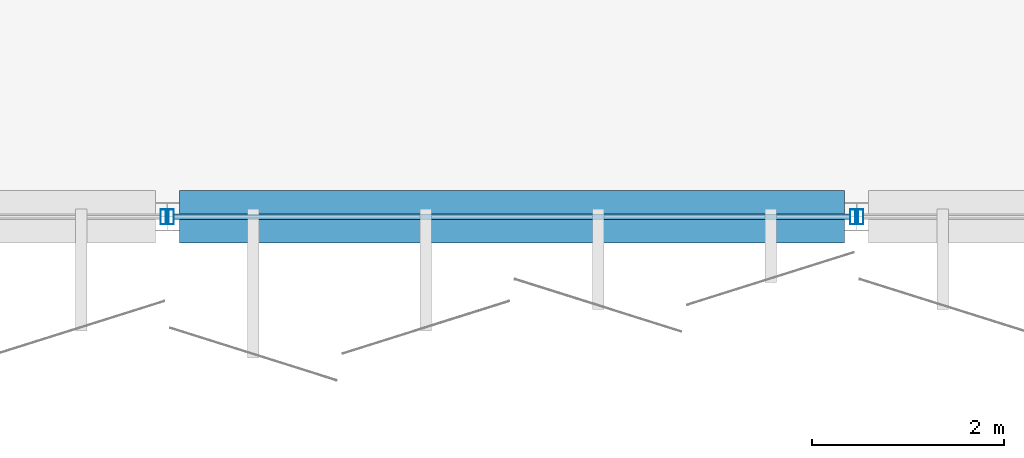
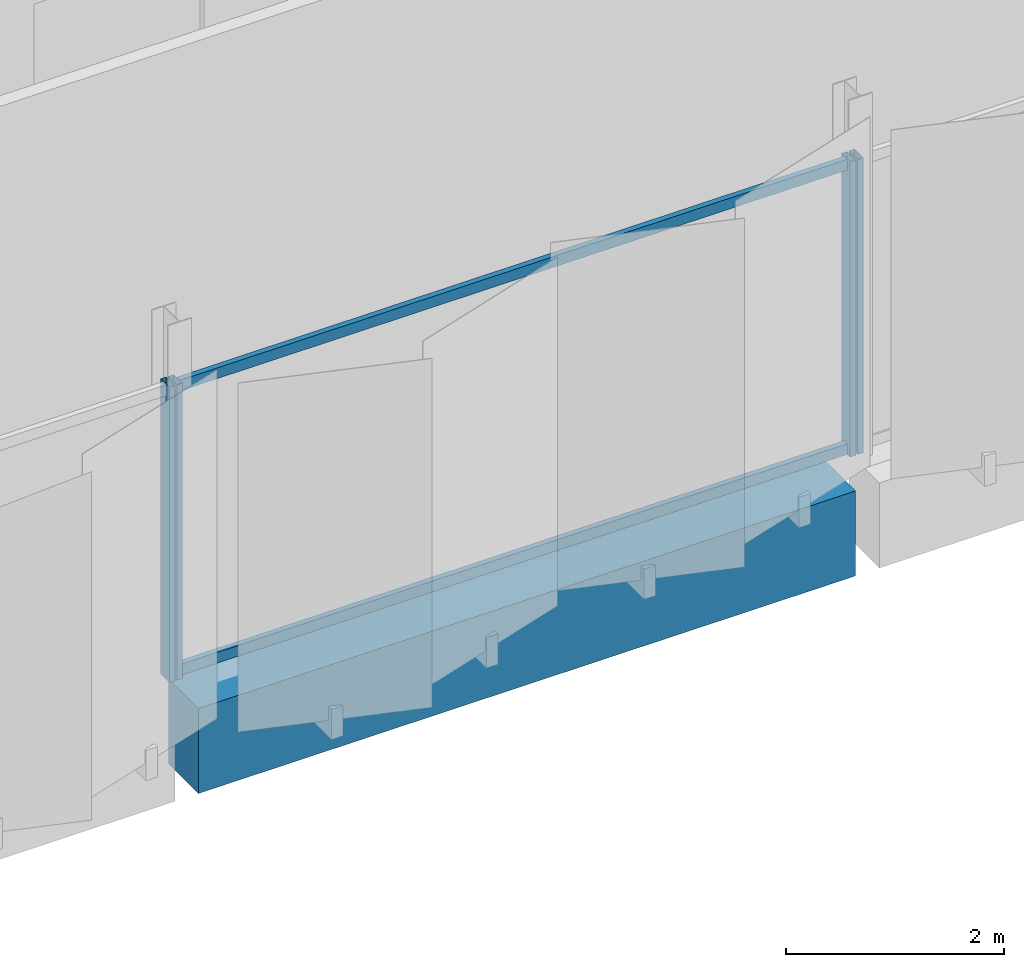
# One storey, part 38 of 77: 6 members, 1 beam, 3 elements without a shape of their own.
"""IFC4 building model written with IfcOpenShell, lengths in metres."""

from ifc_helpers import new_model, si_unit, direction, frame, origin, origin_2d, place, context, subcontext, project, spatial, rectangle, hollow_rectangle, extrude, material, layer, layer_set, material_profile, profile_set, type_object, element, aggregate, save


model = new_model("IFC4")

# Units and contexts
model_context = context("Model", 3, precision=1e-05, world=origin(), true_north=direction((0.0, 1.0)))
body_context = subcontext(model_context, "Body", "Model", "MODEL_VIEW")
ifc_project = project(units=[si_unit("LENGTHUNIT", "METRE"), si_unit("AREAUNIT", "SQUARE_METRE"), si_unit("VOLUMEUNIT", "CUBIC_METRE"), si_unit("PLANEANGLEUNIT", "RADIAN"), si_unit("MASSUNIT", "GRAM", prefix="KILO")], contexts=[model_context])

# Site, building, storey
site_placement = place(None, origin())
site = spatial("IfcSite", under=ifc_project, at=site_placement, CompositionType="ELEMENT")
building_placement = place(site_placement, origin())
building = spatial("IfcBuilding", under=site, at=building_placement, Name="Kangsadwip Square Police Headquarters", CompositionType="ELEMENT")
storey_placement = place(building_placement, frame((0.0, 0.0, 17.550048828125)))
storey = spatial("IfcBuildingStorey", under=building, at=storey_placement, Name="L04", CompositionType="ELEMENT", Elevation=17.550048828125)

# Curtain wall, member
ifc_material_1 = material(Name="Thermally broken anodised aluminium AW-6063-T6", Category="aluminium")
ifc_layer = layer(ifc_material_1, 0.159912109375)
ifc_layer_set = layer_set([ifc_layer], Name="Thermally broken anodised aluminium AW-6063-T6")
curtain_wall_type = type_object("IfcCurtainWallType", Name="CourtScreen7180x3300", PredefinedType="USERDEFINED", material=ifc_layer_set)
curtain_wall_1_placement = place(storey_placement, origin())
curtain_wall_1 = element("IfcCurtainWall", 1, at=curtain_wall_1_placement, inside=storey, type_object=curtain_wall_type, Name="Curtain Wall CW-L04-1224-0936", ObjectType="GLAZED_SCREEN", PredefinedType="USERDEFINED")
ifc_material_2 = material(Name="Thermally broken anodised aluminium AW-6063-T6", Category="aluminium")
ifc_material_profile_1 = material_profile(ifc_material_2, hollow_rectangle(XDim=0.06005859375, YDim=0.159912109375, WallThickness=0.00390625, at=origin_2d()), Name="CWM 160X60X4")
ifc_profile_set_1 = profile_set([ifc_material_profile_1], Name="Thermally broken anodised aluminium AW-6063-T6")
member_type_1 = type_object("IfcMemberType", Name="CwMullion135x60", PredefinedType="MULLION", material=ifc_profile_set_1)
member_1_placement = place(storey_placement, frame((129.56005859375, 93.60009765625, 0.0), z_axis=(0.0, 0.0, 1.0), x_axis=(1.0, 0.0, 0.0)))
member_1 = element("IfcMember", 2, at=member_1_placement, type_object=member_type_1, Name="CW-42 mullion 2", PredefinedType="MULLION", context=body_context, shape_type="SweptSolid", body=[
    extrude(hollow_rectangle(XDim=0.06005859375, YDim=0.159912109375, WallThickness=0.00390625, at=origin_2d()), origin(), (0.0, 0.0, 1.0), 3.300048828125),
])
aggregate(curtain_wall_1, [member_1])

# Curtain wall, members
curtain_wall_2_placement = place(storey_placement, origin())
curtain_wall_2 = element("IfcCurtainWall", 3, at=curtain_wall_2_placement, inside=storey, type_object=curtain_wall_type, Name="Curtain Wall CW-L04-1296-0936", ObjectType="GLAZED_SCREEN", PredefinedType="USERDEFINED")
member_2_placement = place(storey_placement, frame((129.639892578125, 93.60009765625, 0.0), z_axis=(0.0, 0.0, 1.0), x_axis=(1.0, 0.0, 0.0)))
member_2 = element("IfcMember", 4, at=member_2_placement, type_object=member_type_1, Name="CW-42 mullion 1", PredefinedType="MULLION", context=body_context, shape_type="SweptSolid", body=[
    extrude(hollow_rectangle(XDim=0.06005859375, YDim=0.159912109375, WallThickness=0.00390625, at=origin_2d()), origin(), (0.0, 0.0, 1.0), 3.300048828125),
])
member_3_placement = place(storey_placement, frame((136.760009765625, 93.60009765625, 0.0), z_axis=(0.0, 0.0, 1.0), x_axis=(1.0, 0.0, 0.0)))
member_3 = element("IfcMember", 5, at=member_3_placement, type_object=member_type_1, Name="CW-42 mullion 2", PredefinedType="MULLION", context=body_context, shape_type="SweptSolid", body=[
    extrude(hollow_rectangle(XDim=0.06005859375, YDim=0.159912109375, WallThickness=0.00390625, at=origin_2d()), origin(), (0.0, 0.0, 1.0), 3.300048828125),
])

# Curtain wall, member
curtain_wall_3_placement = place(storey_placement, origin())
curtain_wall_3 = element("IfcCurtainWall", 6, at=curtain_wall_3_placement, inside=storey, type_object=curtain_wall_type, Name="Curtain Wall CW-L04-1368-0936", ObjectType="GLAZED_SCREEN", PredefinedType="USERDEFINED")
member_4_placement = place(storey_placement, frame((136.840087890625, 93.60009765625, 0.0), z_axis=(0.0, 0.0, 1.0), x_axis=(1.0, 0.0, 0.0)))
member_4 = element("IfcMember", 7, at=member_4_placement, type_object=member_type_1, Name="CW-42 mullion 1", PredefinedType="MULLION", context=body_context, shape_type="SweptSolid", body=[
    extrude(hollow_rectangle(XDim=0.06005859375, YDim=0.159912109375, WallThickness=0.00390625, at=origin_2d()), origin(), (0.0, 0.0, 1.0), 3.300048828125),
])
aggregate(curtain_wall_3, [member_4])

# Member
ifc_material_3 = material(Name="Thermally broken anodised aluminium AW-6063-T6", Category="aluminium")
ifc_material_profile_2 = material_profile(ifc_material_3, hollow_rectangle(XDim=0.06005859375, YDim=0.1201171875, WallThickness=0.00390625, at=origin_2d()), Name="CWT 120X60X4")
ifc_profile_set_2 = profile_set([ifc_material_profile_2], Name="Thermally broken anodised aluminium AW-6063-T6")
member_type_2 = type_object("IfcMemberType", Name="CwTransom120x55", PredefinedType="USERDEFINED", material=ifc_profile_set_2)
member_5_placement = place(storey_placement, frame((129.669921875, 93.60009765625, 0.06005859375), z_axis=(1.0, 0.0, 0.0), x_axis=(0.0, 1.0, 0.0)))
member_5 = element("IfcMember", 8, at=member_5_placement, type_object=member_type_2, Name="CW-42 transom 1.1", ObjectType="TRANSOM", PredefinedType="USERDEFINED", context=body_context, shape_type="SweptSolid", body=[
    extrude(hollow_rectangle(XDim=0.06005859375, YDim=0.1201171875, WallThickness=0.00390625, at=origin_2d()), origin(), (0.0, 0.0, 1.0), 7.06005859375),
])

member_6_placement = place(storey_placement, frame((129.669921875, 93.60009765625, 3.239990234375), z_axis=(1.0, 0.0, 0.0), x_axis=(0.0, 1.0, 0.0)))
member_6 = element("IfcMember", 9, at=member_6_placement, type_object=member_type_2, Name="CW-42 transom 1.2", ObjectType="TRANSOM", PredefinedType="USERDEFINED", context=body_context, shape_type="SweptSolid", body=[
    extrude(hollow_rectangle(XDim=0.06005859375, YDim=0.1201171875, WallThickness=0.00390625, at=origin_2d()), origin(), (0.0, 0.0, 1.0), 7.06005859375),
])

aggregate(curtain_wall_2, [member_2, member_3, member_5, member_6])

# Beam
ifc_material_4 = material(Name="Concrete M40 (40 MPa)", Category="concrete")
ifc_material_profile_3 = material_profile(ifc_material_4, rectangle(XDim=0.550048828125, YDim=0.949951171875, at=origin_2d()), Name="RC TG 950X550")
ifc_profile_set_3 = profile_set([ifc_material_profile_3], Name="Concrete M40 (40 MPa)")
beam_type = type_object("IfcBeamType", Name="RcTransfer950x550", PredefinedType="USERDEFINED", material=ifc_profile_set_3)
beam_placement = place(storey_placement, frame((129.72509765625, 93.60009765625, -0.715087890625), z_axis=(1.0, 0.0, 0.0), x_axis=(0.0, 1.0, 0.0)))
element("IfcBeam", 10, at=beam_placement, inside=storey, type_object=beam_type, Name="Beam BM-L04-X-18-13", ObjectType="TRANSFER_GIRDER", PredefinedType="USERDEFINED", context=body_context, shape_type="SweptSolid", body=[
    extrude(rectangle(XDim=0.550048828125, YDim=0.949951171875, at=origin_2d()), origin(), (0.0, 0.0, 1.0), 6.949951171875),
])

save(model, "model.ifc")
